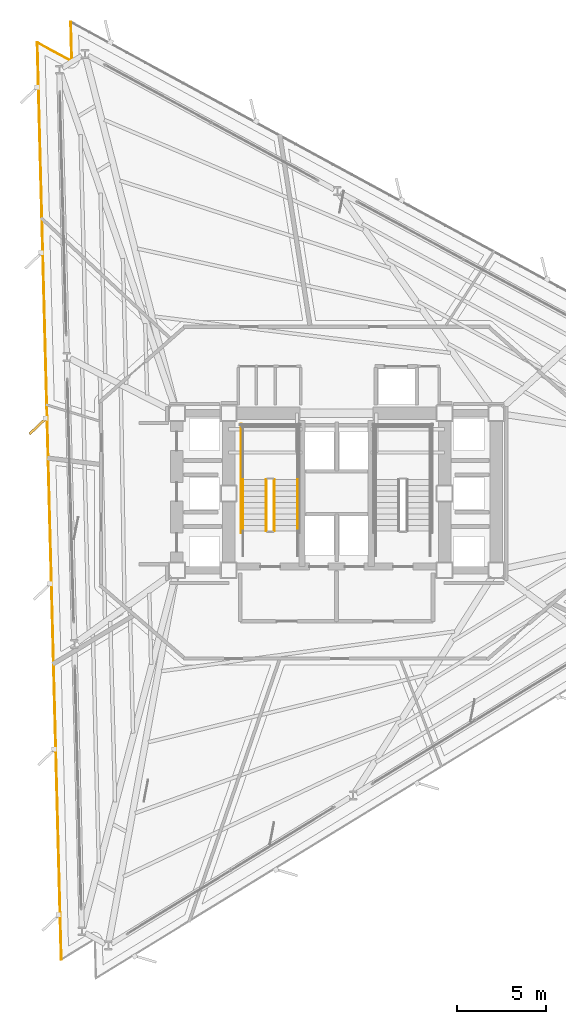
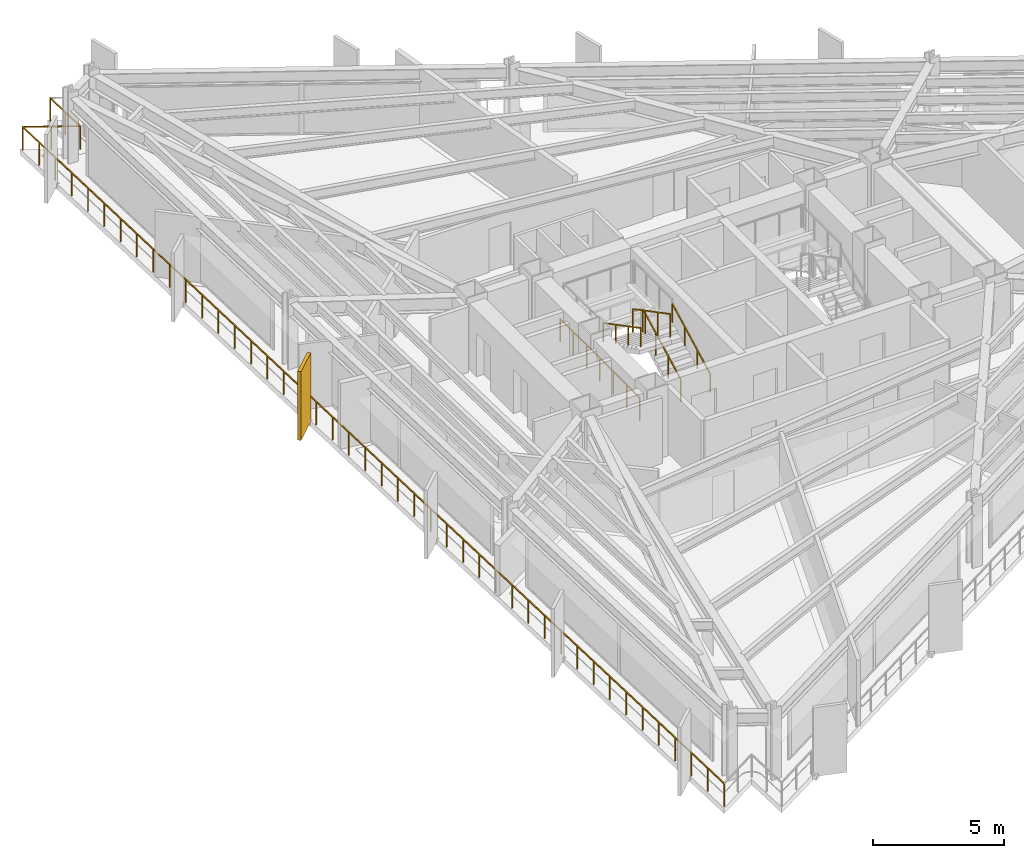
# One storey, part 12 of 14: 6 railings, 1 shading device.
"""IFC4 building model written with IfcOpenShell, lengths in metres."""

from ifc_helpers import new_model, si_unit, direction, frame, origin, origin_2d, place, context, subcontext, project, spatial, rectangle, extrude, material, layer, layer_set, type_object, element, save


model = new_model("IFC4")

# Units and contexts
model_context = context("Model", 3, precision=1e-05, world=origin(), true_north=direction((0.0, 1.0)))
body_context = subcontext(model_context, "Body", "Model", "MODEL_VIEW")
ifc_project = project(units=[si_unit("LENGTHUNIT", "METRE"), si_unit("AREAUNIT", "SQUARE_METRE"), si_unit("VOLUMEUNIT", "CUBIC_METRE"), si_unit("PLANEANGLEUNIT", "RADIAN"), si_unit("MASSUNIT", "GRAM", prefix="KILO")], contexts=[model_context])

# Site, building, storey
site_placement = place(None, origin())
site = spatial("IfcSite", under=ifc_project, at=site_placement, CompositionType="ELEMENT")
building_placement = place(site_placement, origin())
building = spatial("IfcBuilding", under=site, at=building_placement, Name="Rocaltana Carrier Exchange", CompositionType="ELEMENT")
storey_placement = place(building_placement, frame((0.0, 0.0, 28.9599609375)))
storey = spatial("IfcBuildingStorey", under=building, at=storey_placement, Name="L09", CompositionType="ELEMENT", Elevation=28.9599609375)

# Railings
ifc_material_1 = material(Name="Brushed Architectural Stainless Tube", Category="steel")
ifc_layer_1 = layer(ifc_material_1, 0.048095703125)
ifc_layer_set_1 = layer_set([ifc_layer_1], Name="Brushed Architectural Stainless Tube")
railing_type_1 = type_object("IfcRailingType", Name="Stair Wall Handrail 920", PredefinedType="HANDRAIL", material=ifc_layer_set_1)
railing_1_placement = place(storey_placement, frame((-2.18994140625, -2.10009765625, 0.16796875)))
element("IfcRailing", 1, at=railing_1_placement, inside=storey, type_object=railing_type_1, Name="L09 ST-1 stair handrail 1", PredefinedType="HANDRAIL", context=body_context, shape_type="SweptSolid", body=[
    extrude(rectangle(XDim=0.048095703125, YDim=0.048095703125, at=origin_2d()), frame((0.0, 0.0, 0.8759765625), z_axis=(0.0, 0.885411030485, 0.464808893091), x_axis=(-1.0, 0.0, 0.0)), (0.0, 0.0, 1.0), 3.2529296875),
    extrude(rectangle(XDim=0.0419921875, YDim=0.0419921875, at=origin_2d()), origin(), (0.0, 0.0, 1.0), 0.851806640625),
    extrude(rectangle(XDim=0.0419921875, YDim=0.0419921875, at=origin_2d()), frame((0.0, 0.9599609375, 0.50390625)), (0.0, 0.0, 1.0), 0.851806640625),
    extrude(rectangle(XDim=0.0419921875, YDim=0.0419921875, at=origin_2d()), frame((0.0, 1.920166015625, 1.008056640625)), (0.0, 0.0, 1.0), 0.851806640625),
    extrude(rectangle(XDim=0.0419921875, YDim=0.0419921875, at=origin_2d()), frame((0.0, 2.880126953125, 1.511962890625)), (0.0, 0.0, 1.0), 0.851806640625),
])
railing_2_placement = place(storey_placement, frame((-5.25, 0.780029296875, 1.84814453125)))
element("IfcRailing", 2, at=railing_2_placement, inside=storey, type_object=railing_type_1, Name="L09 ST-1 stair handrail 2", PredefinedType="HANDRAIL", context=body_context, shape_type="SweptSolid", body=[
    extrude(rectangle(XDim=0.048095703125, YDim=0.048095703125, at=origin_2d()), frame((0.0, 0.0, 0.8759765625), z_axis=(0.0, -0.885411030485, 0.464808893091), x_axis=(1.0, 0.0, 0.0)), (0.0, 0.0, 1.0), 3.2529296875),
    extrude(rectangle(XDim=0.0419921875, YDim=0.0419921875, at=origin_2d()), origin(), (0.0, 0.0, 1.0), 0.851806640625),
    extrude(rectangle(XDim=0.0419921875, YDim=0.0419921875, at=origin_2d()), frame((0.0, -0.9599609375, 0.50390625)), (0.0, 0.0, 1.0), 0.851806640625),
    extrude(rectangle(XDim=0.0419921875, YDim=0.0419921875, at=origin_2d()), frame((0.0, -1.920166015625, 1.008056640625)), (0.0, 0.0, 1.0), 0.851806640625),
    extrude(rectangle(XDim=0.0419921875, YDim=0.0419921875, at=origin_2d()), frame((0.0, -2.880126953125, 1.511962890625)), (0.0, 0.0, 1.0), 0.851806640625),
])
ifc_material_2 = material(Name="Powder-Coated Aluminium 6063-T6", Category="aluminium")
ifc_layer_2 = layer(ifc_material_2, 0.048095703125)
ifc_layer_set_2 = layer_set([ifc_layer_2], Name="Powder-Coated Aluminium 6063-T6")
railing_type_2 = type_object("IfcRailingType", Name="Stair Well Guardrail 1100", PredefinedType="GUARDRAIL", material=ifc_layer_set_2)
railing_3_placement = place(storey_placement, frame((-3.489990234375, -2.10009765625, 0.16796875)))
element("IfcRailing", 3, at=railing_3_placement, inside=storey, type_object=railing_type_2, Name="L09 ST-1 stair guard 1", PredefinedType="GUARDRAIL", context=body_context, shape_type="SweptSolid", body=[
    extrude(rectangle(XDim=0.048095703125, YDim=0.048095703125, at=origin_2d()), frame((0.0, 0.0, 1.076171875), z_axis=(0.0, 0.885411030485, 0.464808893091), x_axis=(-1.0, 0.0, 0.0)), (0.0, 0.0, 1.0), 3.2529296875),
    extrude(rectangle(XDim=0.0419921875, YDim=0.0419921875, at=origin_2d()), origin(), (0.0, 0.0, 1.0), 1.052001953125),
    extrude(rectangle(XDim=0.0419921875, YDim=0.0419921875, at=origin_2d()), frame((0.0, 0.9599609375, 0.50390625)), (0.0, 0.0, 1.0), 1.052001953125),
    extrude(rectangle(XDim=0.0419921875, YDim=0.0419921875, at=origin_2d()), frame((0.0, 1.920166015625, 1.008056640625)), (0.0, 0.0, 1.0), 1.052001953125),
    extrude(rectangle(XDim=0.0419921875, YDim=0.0419921875, at=origin_2d()), frame((0.0, 2.880126953125, 1.511962890625)), (0.0, 0.0, 1.0), 1.052001953125),
])
railing_4_placement = place(storey_placement, frame((-3.949951171875, 0.780029296875, 1.84814453125)))
element("IfcRailing", 4, at=railing_4_placement, inside=storey, type_object=railing_type_2, Name="L09 ST-1 stair guard 6", PredefinedType="GUARDRAIL", context=body_context, shape_type="SweptSolid", body=[
    extrude(rectangle(XDim=0.048095703125, YDim=0.048095703125, at=origin_2d()), frame((0.0, 0.0, 1.076171875), z_axis=(0.0, -0.885411030485, 0.464808893091), x_axis=(1.0, 0.0, 0.0)), (0.0, 0.0, 1.0), 3.2529296875),
    extrude(rectangle(XDim=0.0419921875, YDim=0.0419921875, at=origin_2d()), origin(), (0.0, 0.0, 1.0), 1.052001953125),
    extrude(rectangle(XDim=0.0419921875, YDim=0.0419921875, at=origin_2d()), frame((0.0, -0.9599609375, 0.50390625)), (0.0, 0.0, 1.0), 1.052001953125),
    extrude(rectangle(XDim=0.0419921875, YDim=0.0419921875, at=origin_2d()), frame((0.0, -1.920166015625, 1.008056640625)), (0.0, 0.0, 1.0), 1.052001953125),
    extrude(rectangle(XDim=0.0419921875, YDim=0.0419921875, at=origin_2d()), frame((0.0, -2.880126953125, 1.511962890625)), (0.0, 0.0, 1.0), 1.052001953125),
])
railing_5_placement = place(storey_placement, frame((-5.35009765625, -2.199951171875, 0.0)))
element("IfcRailing", 5, at=railing_5_placement, inside=storey, type_object=railing_type_2, Name="L09 ST-1 stair guard 11", PredefinedType="GUARDRAIL", context=body_context, shape_type="SweptSolid", body=[
    extrude(rectangle(XDim=0.048095703125, YDim=0.048095703125, at=origin_2d()), frame((0.0, 0.0, 1.076171875), z_axis=(0.0, 1.0, 0.0), x_axis=(-1.0, 0.0, 0.0)), (0.0, 0.0, 1.0), 6.099853515625),
    extrude(rectangle(XDim=0.0419921875, YDim=0.0419921875, at=origin_2d()), origin(), (0.0, 0.0, 1.0), 1.052001953125),
    extrude(rectangle(XDim=0.0419921875, YDim=0.0419921875, at=origin_2d()), frame((0.0, 1.0166015625, 0.0)), (0.0, 0.0, 1.0), 1.052001953125),
    extrude(rectangle(XDim=0.0419921875, YDim=0.0419921875, at=origin_2d()), frame((0.0, 2.033203125, 0.0)), (0.0, 0.0, 1.0), 1.052001953125),
    extrude(rectangle(XDim=0.0419921875, YDim=0.0419921875, at=origin_2d()), frame((0.0, 3.0498046875, 0.0)), (0.0, 0.0, 1.0), 1.052001953125),
    extrude(rectangle(XDim=0.0419921875, YDim=0.0419921875, at=origin_2d()), frame((0.0, 4.066650390625, 0.0)), (0.0, 0.0, 1.0), 1.052001953125),
    extrude(rectangle(XDim=0.0419921875, YDim=0.0419921875, at=origin_2d()), frame((0.0, 5.083251953125, 0.0)), (0.0, 0.0, 1.0), 1.052001953125),
    extrude(rectangle(XDim=0.0419921875, YDim=0.0419921875, at=origin_2d()), frame((0.0, 6.099853515625, 0.0)), (0.0, 0.0, 1.0), 1.052001953125),
])

# Shading device
ifc_material_3 = material(Name="Honed Bogota Sandstone & Concrete C45/55", Category="masonry")
ifc_layer_3 = layer(ifc_material_3, 0.139892578125)
ifc_layer_set_3 = layer_set([ifc_layer_3], Name="Honed Bogota Sandstone & Concrete C45/55")
shading_device_type = type_object("IfcShadingDeviceType", Name="Vertical Sandstone Shading Fin 1320x140", PredefinedType="USERDEFINED", material=ifc_layer_set_3)
shading_device_placement = place(storey_placement, frame((-16.7314453125, 3.78857421875, -0.1201171875), z_axis=(0.0, 0.0, 1.0), x_axis=(-0.725374371012, -0.688354575694, 0.0)))
element("IfcShadingDevice", 6, at=shading_device_placement, inside=storey, type_object=shading_device_type, Name="L09 Sandstone Vertical Fin F2-03", ObjectType="FIN", PredefinedType="USERDEFINED", context=body_context, shape_type="SweptSolid", body=[
    extrude(rectangle(XDim=1.320068359375, YDim=0.139892578125, at=origin_2d()), origin(), (0.0, 0.0, 1.0), 3.218017578125),
])

# Railing
ifc_material_4 = material(Name="Powder-Coated Aluminium 6063-T6", Category="aluminium")
ifc_layer_4 = layer(ifc_material_4, 0.06005859375)
ifc_layer_set_4 = layer_set([ifc_layer_4], Name="Powder-Coated Aluminium 6063-T6")
railing_type_3 = type_object("IfcRailingType", Name="Wind-Floor & Terrace Perimeter Guardrail 1100", PredefinedType="GUARDRAIL", material=ifc_layer_set_4)
railing_6_placement = place(storey_placement, frame((-15.427490234375, -26.10888671875, 0.0)))
element("IfcRailing", 7, at=railing_6_placement, inside=storey, type_object=railing_type_3, Name="L09 Perimeter Balcony Guardrail 2", PredefinedType="GUARDRAIL", context=body_context, shape_type="SweptSolid", body=[
    extrude(rectangle(XDim=0.048095703125, YDim=0.048095703125, at=origin_2d()), frame((0.0, 0.0, 1.076171875), z_axis=(-0.02618025491, 0.999657238384, 0.0), x_axis=(-0.999657238384, -0.02618025491, 0.0)), (0.0, 0.0, 1.0), 51.39208984375),
    extrude(rectangle(XDim=0.048095703125, YDim=0.048095703125, at=origin_2d()), frame((-1.345458984375, 51.37451171875, 1.076171875), z_axis=(0.878801578058, -0.477187370331, 0.0), x_axis=(0.477187370331, 0.878801578058, 0.0)), (0.0, 0.0, 1.0), 2.199951171875),
    extrude(rectangle(XDim=0.048095703125, YDim=0.048095703125, at=origin_2d()), frame((0.587890625, 50.32470703125, 1.076171875), z_axis=(-0.026187042546, 0.999657060598, 0.0), x_axis=(-0.999657060598, -0.026187042546, 0.0)), (0.0, 0.0, 1.0), 2.2001953125),
    extrude(rectangle(XDim=0.0419921875, YDim=0.0419921875, at=origin_2d()), origin(), (0.0, 0.0, 1.0), 1.052001953125),
    extrude(rectangle(XDim=0.0419921875, YDim=0.0419921875, at=origin_2d()), frame((-0.03125, 1.19482421875, 0.0)), (0.0, 0.0, 1.0), 1.052001953125),
    extrude(rectangle(XDim=0.0419921875, YDim=0.0419921875, at=origin_2d()), frame((-0.0625, 2.389404296875, 0.0)), (0.0, 0.0, 1.0), 1.052001953125),
    extrude(rectangle(XDim=0.0419921875, YDim=0.0419921875, at=origin_2d()), frame((-0.09375, 3.584228515625, 0.0)), (0.0, 0.0, 1.0), 1.052001953125),
    extrude(rectangle(XDim=0.0419921875, YDim=0.0419921875, at=origin_2d()), frame((-0.125244140625, 4.779052734375, 0.0)), (0.0, 0.0, 1.0), 1.052001953125),
    extrude(rectangle(XDim=0.0419921875, YDim=0.0419921875, at=origin_2d()), frame((-0.156494140625, 5.973876953125, 0.0)), (0.0, 0.0, 1.0), 1.052001953125),
    extrude(rectangle(XDim=0.0419921875, YDim=0.0419921875, at=origin_2d()), frame((-0.187744140625, 7.16845703125, 0.0)), (0.0, 0.0, 1.0), 1.052001953125),
    extrude(rectangle(XDim=0.0419921875, YDim=0.0419921875, at=origin_2d()), frame((-0.218994140625, 8.36328125, 0.0)), (0.0, 0.0, 1.0), 1.052001953125),
    extrude(rectangle(XDim=0.0419921875, YDim=0.0419921875, at=origin_2d()), frame((-0.250244140625, 9.55810546875, 0.0)), (0.0, 0.0, 1.0), 1.052001953125),
    extrude(rectangle(XDim=0.0419921875, YDim=0.0419921875, at=origin_2d()), frame((-0.281494140625, 10.752685546875, 0.0)), (0.0, 0.0, 1.0), 1.052001953125),
    extrude(rectangle(XDim=0.0419921875, YDim=0.0419921875, at=origin_2d()), frame((-0.31298828125, 11.947509765625, 0.0)), (0.0, 0.0, 1.0), 1.052001953125),
    extrude(rectangle(XDim=0.0419921875, YDim=0.0419921875, at=origin_2d()), frame((-0.34423828125, 13.142333984375, 0.0)), (0.0, 0.0, 1.0), 1.052001953125),
    extrude(rectangle(XDim=0.0419921875, YDim=0.0419921875, at=origin_2d()), frame((-0.37548828125, 14.337158203125, 0.0)), (0.0, 0.0, 1.0), 1.052001953125),
    extrude(rectangle(XDim=0.0419921875, YDim=0.0419921875, at=origin_2d()), frame((-0.40673828125, 15.53173828125, 0.0)), (0.0, 0.0, 1.0), 1.052001953125),
    extrude(rectangle(XDim=0.0419921875, YDim=0.0419921875, at=origin_2d()), frame((-0.43798828125, 16.7265625, 0.0)), (0.0, 0.0, 1.0), 1.052001953125),
    extrude(rectangle(XDim=0.0419921875, YDim=0.0419921875, at=origin_2d()), frame((-0.46923828125, 17.92138671875, 0.0)), (0.0, 0.0, 1.0), 1.052001953125),
    extrude(rectangle(XDim=0.0419921875, YDim=0.0419921875, at=origin_2d()), frame((-0.500732421875, 19.1162109375, 0.0)), (0.0, 0.0, 1.0), 1.052001953125),
    extrude(rectangle(XDim=0.0419921875, YDim=0.0419921875, at=origin_2d()), frame((-0.531982421875, 20.310791015625, 0.0)), (0.0, 0.0, 1.0), 1.052001953125),
    extrude(rectangle(XDim=0.0419921875, YDim=0.0419921875, at=origin_2d()), frame((-0.563232421875, 21.505615234375, 0.0)), (0.0, 0.0, 1.0), 1.052001953125),
    extrude(rectangle(XDim=0.0419921875, YDim=0.0419921875, at=origin_2d()), frame((-0.594482421875, 22.700439453125, 0.0)), (0.0, 0.0, 1.0), 1.052001953125),
    extrude(rectangle(XDim=0.0419921875, YDim=0.0419921875, at=origin_2d()), frame((-0.625732421875, 23.89501953125, 0.0)), (0.0, 0.0, 1.0), 1.052001953125),
    extrude(rectangle(XDim=0.0419921875, YDim=0.0419921875, at=origin_2d()), frame((-0.656982421875, 25.08984375, 0.0)), (0.0, 0.0, 1.0), 1.052001953125),
    extrude(rectangle(XDim=0.0419921875, YDim=0.0419921875, at=origin_2d()), frame((-0.6884765625, 26.28466796875, 0.0)), (0.0, 0.0, 1.0), 1.052001953125),
    extrude(rectangle(XDim=0.0419921875, YDim=0.0419921875, at=origin_2d()), frame((-0.7197265625, 27.4794921875, 0.0)), (0.0, 0.0, 1.0), 1.052001953125),
    extrude(rectangle(XDim=0.0419921875, YDim=0.0419921875, at=origin_2d()), frame((-0.7509765625, 28.674072265625, 0.0)), (0.0, 0.0, 1.0), 1.052001953125),
    extrude(rectangle(XDim=0.0419921875, YDim=0.0419921875, at=origin_2d()), frame((-0.7822265625, 29.868896484375, 0.0)), (0.0, 0.0, 1.0), 1.052001953125),
    extrude(rectangle(XDim=0.0419921875, YDim=0.0419921875, at=origin_2d()), frame((-0.8134765625, 31.063720703125, 0.0)), (0.0, 0.0, 1.0), 1.052001953125),
    extrude(rectangle(XDim=0.0419921875, YDim=0.0419921875, at=origin_2d()), frame((-0.8447265625, 32.25830078125, 0.0)), (0.0, 0.0, 1.0), 1.052001953125),
    extrude(rectangle(XDim=0.0419921875, YDim=0.0419921875, at=origin_2d()), frame((-0.876220703125, 33.453125, 0.0)), (0.0, 0.0, 1.0), 1.052001953125),
    extrude(rectangle(XDim=0.0419921875, YDim=0.0419921875, at=origin_2d()), frame((-0.907470703125, 34.64794921875, 0.0)), (0.0, 0.0, 1.0), 1.052001953125),
    extrude(rectangle(XDim=0.0419921875, YDim=0.0419921875, at=origin_2d()), frame((-0.938720703125, 35.8427734375, 0.0)), (0.0, 0.0, 1.0), 1.052001953125),
    extrude(rectangle(XDim=0.0419921875, YDim=0.0419921875, at=origin_2d()), frame((-0.969970703125, 37.037353515625, 0.0)), (0.0, 0.0, 1.0), 1.052001953125),
    extrude(rectangle(XDim=0.0419921875, YDim=0.0419921875, at=origin_2d()), frame((-1.001220703125, 38.232177734375, 0.0)), (0.0, 0.0, 1.0), 1.052001953125),
    extrude(rectangle(XDim=0.0419921875, YDim=0.0419921875, at=origin_2d()), frame((-1.032470703125, 39.427001953125, 0.0)), (0.0, 0.0, 1.0), 1.052001953125),
    extrude(rectangle(XDim=0.0419921875, YDim=0.0419921875, at=origin_2d()), frame((-1.06396484375, 40.621826171875, 0.0)), (0.0, 0.0, 1.0), 1.052001953125),
    extrude(rectangle(XDim=0.0419921875, YDim=0.0419921875, at=origin_2d()), frame((-1.09521484375, 41.81640625, 0.0)), (0.0, 0.0, 1.0), 1.052001953125),
    extrude(rectangle(XDim=0.0419921875, YDim=0.0419921875, at=origin_2d()), frame((-1.12646484375, 43.01123046875, 0.0)), (0.0, 0.0, 1.0), 1.052001953125),
    extrude(rectangle(XDim=0.0419921875, YDim=0.0419921875, at=origin_2d()), frame((-1.15771484375, 44.2060546875, 0.0)), (0.0, 0.0, 1.0), 1.052001953125),
    extrude(rectangle(XDim=0.0419921875, YDim=0.0419921875, at=origin_2d()), frame((-1.18896484375, 45.400634765625, 0.0)), (0.0, 0.0, 1.0), 1.052001953125),
    extrude(rectangle(XDim=0.0419921875, YDim=0.0419921875, at=origin_2d()), frame((-1.22021484375, 46.595458984375, 0.0)), (0.0, 0.0, 1.0), 1.052001953125),
    extrude(rectangle(XDim=0.0419921875, YDim=0.0419921875, at=origin_2d()), frame((-1.251708984375, 47.790283203125, 0.0)), (0.0, 0.0, 1.0), 1.052001953125),
    extrude(rectangle(XDim=0.0419921875, YDim=0.0419921875, at=origin_2d()), frame((-1.282958984375, 48.985107421875, 0.0)), (0.0, 0.0, 1.0), 1.052001953125),
    extrude(rectangle(XDim=0.0419921875, YDim=0.0419921875, at=origin_2d()), frame((-1.314208984375, 50.1796875, 0.0)), (0.0, 0.0, 1.0), 1.052001953125),
    extrude(rectangle(XDim=0.0419921875, YDim=0.0419921875, at=origin_2d()), frame((-1.345458984375, 51.37451171875, 0.0)), (0.0, 0.0, 1.0), 1.052001953125),
    extrude(rectangle(XDim=0.0419921875, YDim=0.0419921875, at=origin_2d()), frame((-0.37890625, 50.849609375, 0.0)), (0.0, 0.0, 1.0), 1.052001953125),
    extrude(rectangle(XDim=0.0419921875, YDim=0.0419921875, at=origin_2d()), frame((0.587890625, 50.32470703125, 0.0)), (0.0, 0.0, 1.0), 1.052001953125),
    extrude(rectangle(XDim=0.0419921875, YDim=0.0419921875, at=origin_2d()), frame((0.55908203125, 51.42431640625, 0.0)), (0.0, 0.0, 1.0), 1.052001953125),
    extrude(rectangle(XDim=0.0419921875, YDim=0.0419921875, at=origin_2d()), frame((0.5302734375, 52.524169921875, 0.0)), (0.0, 0.0, 1.0), 1.052001953125),
])

save(model, "model.ifc")
